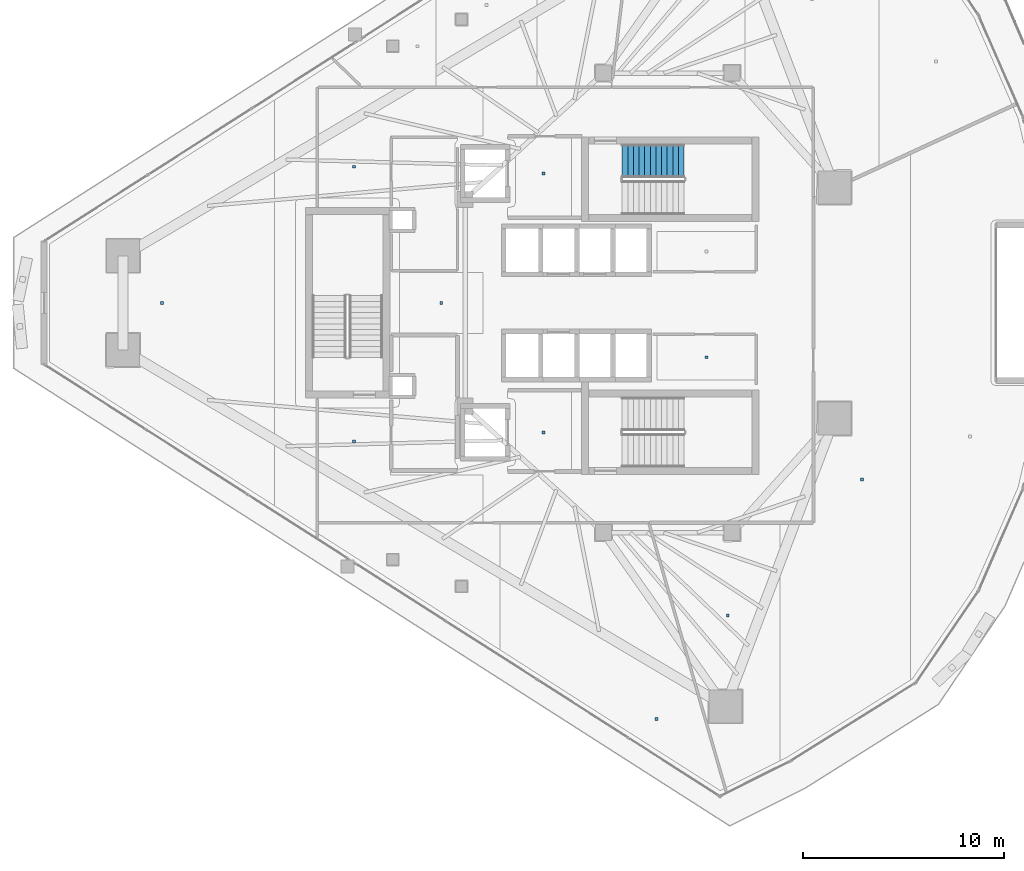
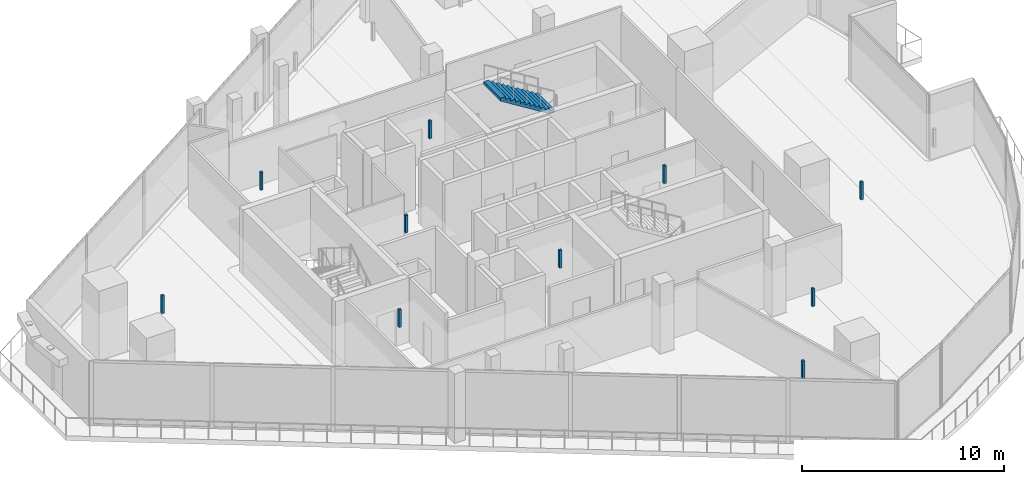
# One storey, part 23 of 31: 10 discrete accessories, 1 stair flight, 1 element without a shape of its own.
"""IFC4 building model written with IfcOpenShell, lengths in metres."""

from ifc_helpers import new_model, si_unit, direction, frame, origin, origin_2d, place, context, subcontext, project, spatial, polyline, rectangle, outline, extrude, material, layer, layer_set, type_object, element, aggregate, save


model = new_model("IFC4")

# Units and contexts
model_context = context("Model", 3, precision=1e-05, world=origin(), true_north=direction((0.0, 1.0)))
body_context = subcontext(model_context, "Body", "Model", "MODEL_VIEW")
ifc_project = project(units=[si_unit("LENGTHUNIT", "METRE"), si_unit("AREAUNIT", "SQUARE_METRE"), si_unit("VOLUMEUNIT", "CUBIC_METRE"), si_unit("PLANEANGLEUNIT", "RADIAN"), si_unit("MASSUNIT", "GRAM", prefix="KILO")], contexts=[model_context])

# Site, building, storey
site_placement = place(None, origin())
site = spatial("IfcSite", under=ifc_project, at=site_placement, CompositionType="ELEMENT")
building_placement = place(site_placement, origin())
building = spatial("IfcBuilding", under=site, at=building_placement, Name="Qorvath Tower", CompositionType="ELEMENT")
storey_placement = place(building_placement, frame((0.0, 0.0, 259.800048828125)))
storey = spatial("IfcBuildingStorey", under=building, at=storey_placement, Name="L60", CompositionType="ELEMENT", Elevation=259.800048828125)

# Stair, stair flight
ifc_material_1 = material(Name="Concrete C50/60", Category="concrete")
stair_type = type_object("IfcStairType", Name="ST-H420", PredefinedType="HALF_TURN_STAIR", material=ifc_material_1)
stair_placement = place(storey_placement, origin())
stair = element("IfcStair", 1, at=stair_placement, inside=storey, type_object=stair_type, Name="L60 Tower Exit Stair 1", PredefinedType="HALF_TURN_STAIR")
ifc_material_2 = material(Name="Concrete C50/60", Category="concrete")
ifc_layer = layer(ifc_material_2, 0.14990234375)
ifc_layer_set = layer_set([ifc_layer], Name="SF-H420")
stair_flight_type = type_object("IfcStairFlightType", Name="SF-H420", PredefinedType="STRAIGHT", material=ifc_layer_set)
stair_flight_placement = place(storey_placement, frame((-19.590087890625, 7.070068359375, 2.099853515625), z_axis=(0.0, 0.0, 1.0), x_axis=(-1.0, 0.0, 0.0)))
stair_flight = element("IfcStairFlight", 2, at=stair_flight_placement, type_object=stair_flight_type, Name="TS1 flight 2", NumberOfRisers=12, NumberOfTreads=11, PredefinedType="STRAIGHT", RiserHeight=0.175, TreadLength=0.28, context=body_context, shape_type="SweptSolid", body=[
    extrude(outline(polyline([(0.0, 0.0), (0.0, 0.175048828125), (0.280029296875, 0.175048828125), (0.280029296875, 0.35009765625), (0.56005859375, 0.35009765625), (0.56005859375, 0.52490234375), (0.840087890625, 0.52490234375), (0.840087890625, 0.699951171875), (1.1201171875, 0.699951171875), (1.1201171875, 0.875), (1.39990234375, 0.875), (1.39990234375, 1.050048828125), (1.679931640625, 1.050048828125), (1.679931640625, 1.22509765625), (1.9599609375, 1.22509765625), (1.9599609375, 1.39990234375), (2.239990234375, 1.39990234375), (2.239990234375, 1.574951171875), (2.52001953125, 1.574951171875), (2.52001953125, 1.75), (2.800048828125, 1.75), (2.800048828125, 1.925048828125), (3.080078125, 1.925048828125), (3.080078125, 2.10009765625), (3.080078125, 1.748291015625), (0.28271484375, 0.0), (0.0, 0.0)])), frame((0.0, 0.83984375, 0.0), z_axis=(0.0, -1.0, 0.0), x_axis=(1.0, 0.0, 0.0)), (0.0, 0.0, 1.0), 1.679931640625),
])
aggregate(stair, [stair_flight])

# Discrete accessories
ifc_material_3 = material(Name="Galvanised steel bracket", Category="steel")
discrete_accessory_type = type_object("IfcDiscreteAccessoryType", Name="DA-BRACKET", PredefinedType="BRACKET", material=ifc_material_3)
for number, where, z_axis, x_axis, name in (
    (3, (-26.590087890625, 6.449951171875, 2.85986328125), (0.0, 0.0, 1.0), (1.0, 0.0, 0.0), "Acoustic Ceiling Suspension Hanger T1-L60-001"),
    (4, (-26.590087890625, -6.449951171875, 2.85986328125), (0.0, 0.0, 1.0), (1.0, 0.0, 0.0), "Acoustic Ceiling Suspension Hanger T1-L60-002"),
    (5, (-18.472412109375, -2.70751953125, 2.85986328125), (0.0, 0.0, 1.0), (1.0, 0.0, 0.0), "Acoustic Ceiling Suspension Hanger T1-L60-004"),
    (6, (-36.04150390625, -6.908447265625, 2.85986328125), (0.0, 0.0, 1.0), (1.0, 0.0, 0.0), "Acoustic Ceiling Suspension Hanger T1-L60-007"),
    (7, (-36.040283203125, 6.782470703125, 2.85986328125), (0.0, 0.0, 1.0), (1.0, 0.0, 0.0), "Acoustic Ceiling Suspension Hanger T1-L60-008"),
    (8, (-31.6875, 0.0, 2.85986328125), (0.0, 0.0, 1.0), (1.0, 0.0, 0.0), "Acoustic Ceiling Suspension Hanger T1-L60-009"),
    (9, (-45.60400390625, 0.0, 2.85986328125), (0.0, 0.0, 1.0), (1.0, 0.0, 0.0), "Acoustic Ceiling Suspension Hanger T1-L60-010"),
    (10, (-20.954833984375, -20.730224609375, 2.85986328125), (0.0, 0.0, 1.0), (1.0, 0.0, 0.0), "Acoustic Ceiling Suspension Hanger T1-L60-012"),
    (11, (-17.409423828125, -15.572021484375, 2.85986328125), (0.0, 0.0, 1.0), (1.0, 0.0, 0.0), "Acoustic Ceiling Suspension Hanger T1-L60-013"),
    (12, (-10.7197265625, -8.80224609375, 2.85986328125), (0.0, 0.0, 1.0), (1.0, 0.0, 0.0), "Acoustic Ceiling Suspension Hanger T1-L60-014"),
):
    element("IfcDiscreteAccessory", number, at=place(storey_placement, frame(where, z_axis=z_axis, x_axis=x_axis)), inside=storey, type_object=discrete_accessory_type, Name=name, PredefinedType="NOTDEFINED", context=body_context, shape_type="SweptSolid", body=[
        extrude(rectangle(XDim=0.139892578125, YDim=0.139892578125, at=origin_2d()), origin(), (0.0, 0.0, 1.0), 1.080078125),
    ])

save(model, "model.ifc")
